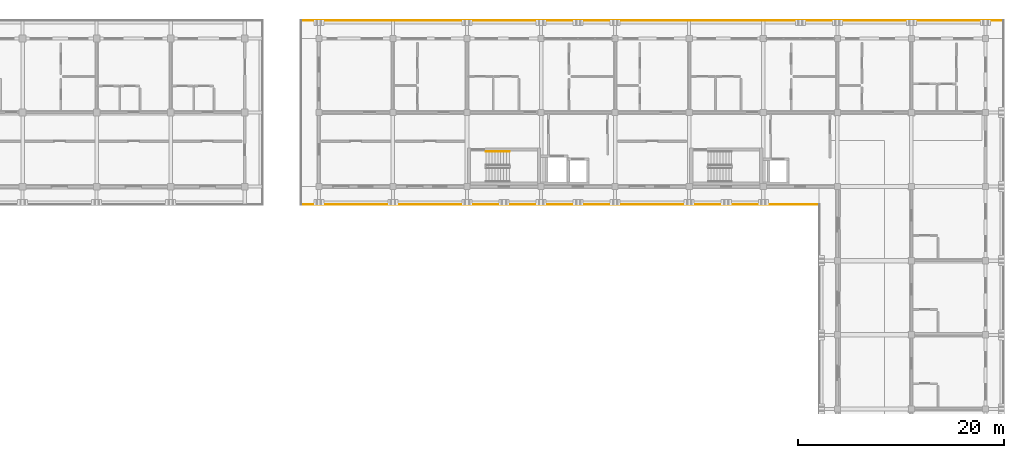
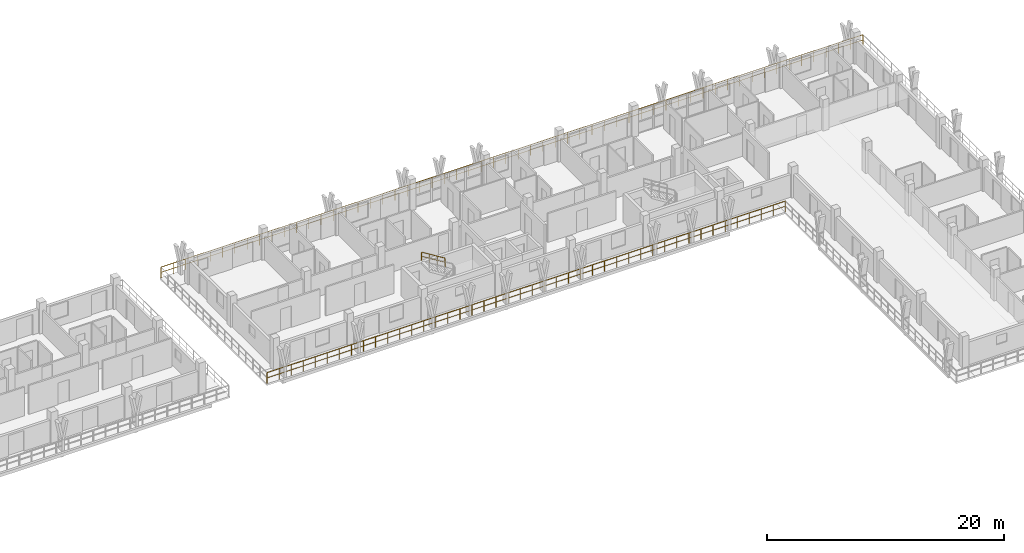
# One storey, part 77 of 78: 3 railings.
"""IFC4 building model written with IfcOpenShell, lengths in metres."""

from ifc_helpers import new_model, si_unit, direction, frame, origin, origin_2d, place, context, subcontext, project, spatial, rectangle, extrude, material, type_object, element, save


model = new_model("IFC4")

# Units and contexts
model_context = context("Model", 3, precision=1e-05, world=origin(), true_north=direction((0.0, 1.0)))
body_context = subcontext(model_context, "Body", "Model", "MODEL_VIEW")
ifc_project = project(units=[si_unit("LENGTHUNIT", "METRE"), si_unit("AREAUNIT", "SQUARE_METRE"), si_unit("VOLUMEUNIT", "CUBIC_METRE"), si_unit("PLANEANGLEUNIT", "RADIAN"), si_unit("MASSUNIT", "GRAM", prefix="KILO")], contexts=[model_context])

# Site, building, storey
site_placement = place(None, origin())
site = spatial("IfcSite", under=ifc_project, at=site_placement, CompositionType="ELEMENT")
building_placement = place(site_placement, origin())
building = spatial("IfcBuilding", under=site, at=building_placement, Name="Suanplinth Sawtooth Commons", CompositionType="ELEMENT")
storey_placement = place(building_placement, frame((0.0, 0.0, 15.39990234375)))
storey = spatial("IfcBuildingStorey", under=building, at=storey_placement, Name="L04", CompositionType="ELEMENT", Elevation=15.39990234375)

# Railings
ifc_material_1 = material(Name="Powder-coated galvanized steel", Category="steel")
railing_type_1 = type_object("IfcRailingType", Name="GR-01", PredefinedType="BALUSTRADE", material=ifc_material_1)
railing_1_placement = place(storey_placement, frame((171.06005859375, 106.260009765625, 0.0)))
element("IfcRailing", 1, at=railing_1_placement, inside=storey, type_object=railing_type_1, Name="L04 Block B Perimeter Balustrade 2", PredefinedType="BALUSTRADE", context=body_context, shape_type="SweptSolid", body=[
    extrude(rectangle(XDim=0.048095703125, YDim=0.048095703125, at=origin_2d()), frame((0.0, 0.0, 1.09619140625), z_axis=(-1.0, 0.0, 0.0), x_axis=(0.0, -1.0, 0.0)), (0.0, 0.0, 1.0), 50.400146484375),
    extrude(rectangle(XDim=0.03369140625, YDim=0.03369140625, at=origin_2d()), frame((0.0, 0.0, 0.56005859375), z_axis=(-1.0, 0.0, 0.0), x_axis=(0.0, -1.0, 0.0)), (0.0, 0.0, 1.0), 50.400146484375),
    extrude(rectangle(XDim=0.0419921875, YDim=0.0419921875, at=origin_2d()), origin(), (0.0, 0.0, 1.0), 1.072021484375),
    extrude(rectangle(XDim=0.0419921875, YDim=0.0419921875, at=origin_2d()), frame((-1.172119140625, 0.0, 0.0)), (0.0, 0.0, 1.0), 1.072021484375),
    extrude(rectangle(XDim=0.0419921875, YDim=0.0419921875, at=origin_2d()), frame((-2.34423828125, 0.0, 0.0)), (0.0, 0.0, 1.0), 1.072021484375),
    extrude(rectangle(XDim=0.0419921875, YDim=0.0419921875, at=origin_2d()), frame((-3.516357421875, 0.0, 0.0)), (0.0, 0.0, 1.0), 1.072021484375),
    extrude(rectangle(XDim=0.0419921875, YDim=0.0419921875, at=origin_2d()), frame((-4.6884765625, 0.0, 0.0)), (0.0, 0.0, 1.0), 1.072021484375),
    extrude(rectangle(XDim=0.0419921875, YDim=0.0419921875, at=origin_2d()), frame((-5.860595703125, 0.0, 0.0)), (0.0, 0.0, 1.0), 1.072021484375),
    extrude(rectangle(XDim=0.0419921875, YDim=0.0419921875, at=origin_2d()), frame((-7.032470703125, 0.0, 0.0)), (0.0, 0.0, 1.0), 1.072021484375),
    extrude(rectangle(XDim=0.0419921875, YDim=0.0419921875, at=origin_2d()), frame((-8.20458984375, 0.0, 0.0)), (0.0, 0.0, 1.0), 1.072021484375),
    extrude(rectangle(XDim=0.0419921875, YDim=0.0419921875, at=origin_2d()), frame((-9.376708984375, 0.0, 0.0)), (0.0, 0.0, 1.0), 1.072021484375),
    extrude(rectangle(XDim=0.0419921875, YDim=0.0419921875, at=origin_2d()), frame((-10.548828125, 0.0, 0.0)), (0.0, 0.0, 1.0), 1.072021484375),
    extrude(rectangle(XDim=0.0419921875, YDim=0.0419921875, at=origin_2d()), frame((-11.720947265625, 0.0, 0.0)), (0.0, 0.0, 1.0), 1.072021484375),
    extrude(rectangle(XDim=0.0419921875, YDim=0.0419921875, at=origin_2d()), frame((-12.89306640625, 0.0, 0.0)), (0.0, 0.0, 1.0), 1.072021484375),
    extrude(rectangle(XDim=0.0419921875, YDim=0.0419921875, at=origin_2d()), frame((-14.065185546875, 0.0, 0.0)), (0.0, 0.0, 1.0), 1.072021484375),
    extrude(rectangle(XDim=0.0419921875, YDim=0.0419921875, at=origin_2d()), frame((-15.2373046875, 0.0, 0.0)), (0.0, 0.0, 1.0), 1.072021484375),
    extrude(rectangle(XDim=0.0419921875, YDim=0.0419921875, at=origin_2d()), frame((-16.409423828125, 0.0, 0.0)), (0.0, 0.0, 1.0), 1.072021484375),
    extrude(rectangle(XDim=0.0419921875, YDim=0.0419921875, at=origin_2d()), frame((-17.58154296875, 0.0, 0.0)), (0.0, 0.0, 1.0), 1.072021484375),
    extrude(rectangle(XDim=0.0419921875, YDim=0.0419921875, at=origin_2d()), frame((-18.753662109375, 0.0, 0.0)), (0.0, 0.0, 1.0), 1.072021484375),
    extrude(rectangle(XDim=0.0419921875, YDim=0.0419921875, at=origin_2d()), frame((-19.925537109375, 0.0, 0.0)), (0.0, 0.0, 1.0), 1.072021484375),
    extrude(rectangle(XDim=0.0419921875, YDim=0.0419921875, at=origin_2d()), frame((-21.09765625, 0.0, 0.0)), (0.0, 0.0, 1.0), 1.072021484375),
    extrude(rectangle(XDim=0.0419921875, YDim=0.0419921875, at=origin_2d()), frame((-22.269775390625, 0.0, 0.0)), (0.0, 0.0, 1.0), 1.072021484375),
    extrude(rectangle(XDim=0.0419921875, YDim=0.0419921875, at=origin_2d()), frame((-23.44189453125, 0.0, 0.0)), (0.0, 0.0, 1.0), 1.072021484375),
    extrude(rectangle(XDim=0.0419921875, YDim=0.0419921875, at=origin_2d()), frame((-24.614013671875, 0.0, 0.0)), (0.0, 0.0, 1.0), 1.072021484375),
    extrude(rectangle(XDim=0.0419921875, YDim=0.0419921875, at=origin_2d()), frame((-25.7861328125, 0.0, 0.0)), (0.0, 0.0, 1.0), 1.072021484375),
    extrude(rectangle(XDim=0.0419921875, YDim=0.0419921875, at=origin_2d()), frame((-26.958251953125, 0.0, 0.0)), (0.0, 0.0, 1.0), 1.072021484375),
    extrude(rectangle(XDim=0.0419921875, YDim=0.0419921875, at=origin_2d()), frame((-28.13037109375, 0.0, 0.0)), (0.0, 0.0, 1.0), 1.072021484375),
    extrude(rectangle(XDim=0.0419921875, YDim=0.0419921875, at=origin_2d()), frame((-29.302490234375, 0.0, 0.0)), (0.0, 0.0, 1.0), 1.072021484375),
    extrude(rectangle(XDim=0.0419921875, YDim=0.0419921875, at=origin_2d()), frame((-30.474609375, 0.0, 0.0)), (0.0, 0.0, 1.0), 1.072021484375),
    extrude(rectangle(XDim=0.0419921875, YDim=0.0419921875, at=origin_2d()), frame((-31.646484375, 0.0, 0.0)), (0.0, 0.0, 1.0), 1.072021484375),
    extrude(rectangle(XDim=0.0419921875, YDim=0.0419921875, at=origin_2d()), frame((-32.818603515625, 0.0, 0.0)), (0.0, 0.0, 1.0), 1.072021484375),
    extrude(rectangle(XDim=0.0419921875, YDim=0.0419921875, at=origin_2d()), frame((-33.99072265625, 0.0, 0.0)), (0.0, 0.0, 1.0), 1.072021484375),
    extrude(rectangle(XDim=0.0419921875, YDim=0.0419921875, at=origin_2d()), frame((-35.162841796875, 0.0, 0.0)), (0.0, 0.0, 1.0), 1.072021484375),
    extrude(rectangle(XDim=0.0419921875, YDim=0.0419921875, at=origin_2d()), frame((-36.3349609375, 0.0, 0.0)), (0.0, 0.0, 1.0), 1.072021484375),
    extrude(rectangle(XDim=0.0419921875, YDim=0.0419921875, at=origin_2d()), frame((-37.507080078125, 0.0, 0.0)), (0.0, 0.0, 1.0), 1.072021484375),
    extrude(rectangle(XDim=0.0419921875, YDim=0.0419921875, at=origin_2d()), frame((-38.67919921875, 0.0, 0.0)), (0.0, 0.0, 1.0), 1.072021484375),
    extrude(rectangle(XDim=0.0419921875, YDim=0.0419921875, at=origin_2d()), frame((-39.851318359375, 0.0, 0.0)), (0.0, 0.0, 1.0), 1.072021484375),
    extrude(rectangle(XDim=0.0419921875, YDim=0.0419921875, at=origin_2d()), frame((-41.0234375, 0.0, 0.0)), (0.0, 0.0, 1.0), 1.072021484375),
    extrude(rectangle(XDim=0.0419921875, YDim=0.0419921875, at=origin_2d()), frame((-42.195556640625, 0.0, 0.0)), (0.0, 0.0, 1.0), 1.072021484375),
    extrude(rectangle(XDim=0.0419921875, YDim=0.0419921875, at=origin_2d()), frame((-43.36767578125, 0.0, 0.0)), (0.0, 0.0, 1.0), 1.072021484375),
    extrude(rectangle(XDim=0.0419921875, YDim=0.0419921875, at=origin_2d()), frame((-44.53955078125, 0.0, 0.0)), (0.0, 0.0, 1.0), 1.072021484375),
    extrude(rectangle(XDim=0.0419921875, YDim=0.0419921875, at=origin_2d()), frame((-45.711669921875, 0.0, 0.0)), (0.0, 0.0, 1.0), 1.072021484375),
    extrude(rectangle(XDim=0.0419921875, YDim=0.0419921875, at=origin_2d()), frame((-46.8837890625, 0.0, 0.0)), (0.0, 0.0, 1.0), 1.072021484375),
    extrude(rectangle(XDim=0.0419921875, YDim=0.0419921875, at=origin_2d()), frame((-48.055908203125, 0.0, 0.0)), (0.0, 0.0, 1.0), 1.072021484375),
    extrude(rectangle(XDim=0.0419921875, YDim=0.0419921875, at=origin_2d()), frame((-49.22802734375, 0.0, 0.0)), (0.0, 0.0, 1.0), 1.072021484375),
    extrude(rectangle(XDim=0.0419921875, YDim=0.0419921875, at=origin_2d()), frame((-50.400146484375, 0.0, 0.0)), (0.0, 0.0, 1.0), 1.072021484375),
])
railing_2_placement = place(storey_placement, frame((120.659912109375, 124.139892578125, 0.0)))
element("IfcRailing", 2, at=railing_2_placement, inside=storey, type_object=railing_type_1, Name="L04 Block B Perimeter Balustrade 4", PredefinedType="BALUSTRADE", context=body_context, shape_type="SweptSolid", body=[
    extrude(rectangle(XDim=0.048095703125, YDim=0.048095703125, at=origin_2d()), frame((0.0, 0.0, 1.09619140625), z_axis=(1.0, 0.0, 0.0), x_axis=(0.0, 1.0, 0.0)), (0.0, 0.0, 1.0), 68.280029296875),
    extrude(rectangle(XDim=0.03369140625, YDim=0.03369140625, at=origin_2d()), frame((0.0, 0.0, 0.56005859375), z_axis=(1.0, 0.0, 0.0), x_axis=(0.0, 1.0, 0.0)), (0.0, 0.0, 1.0), 68.280029296875),
    extrude(rectangle(XDim=0.0419921875, YDim=0.0419921875, at=origin_2d()), origin(), (0.0, 0.0, 1.0), 1.072021484375),
    extrude(rectangle(XDim=0.0419921875, YDim=0.0419921875, at=origin_2d()), frame((1.197998046875, 0.0, 0.0)), (0.0, 0.0, 1.0), 1.072021484375),
    extrude(rectangle(XDim=0.0419921875, YDim=0.0419921875, at=origin_2d()), frame((2.395751953125, 0.0, 0.0)), (0.0, 0.0, 1.0), 1.072021484375),
    extrude(rectangle(XDim=0.0419921875, YDim=0.0419921875, at=origin_2d()), frame((3.59375, 0.0, 0.0)), (0.0, 0.0, 1.0), 1.072021484375),
    extrude(rectangle(XDim=0.0419921875, YDim=0.0419921875, at=origin_2d()), frame((4.79150390625, 0.0, 0.0)), (0.0, 0.0, 1.0), 1.072021484375),
    extrude(rectangle(XDim=0.0419921875, YDim=0.0419921875, at=origin_2d()), frame((5.989501953125, 0.0, 0.0)), (0.0, 0.0, 1.0), 1.072021484375),
    extrude(rectangle(XDim=0.0419921875, YDim=0.0419921875, at=origin_2d()), frame((7.187255859375, 0.0, 0.0)), (0.0, 0.0, 1.0), 1.072021484375),
    extrude(rectangle(XDim=0.0419921875, YDim=0.0419921875, at=origin_2d()), frame((8.38525390625, 0.0, 0.0)), (0.0, 0.0, 1.0), 1.072021484375),
    extrude(rectangle(XDim=0.0419921875, YDim=0.0419921875, at=origin_2d()), frame((9.583251953125, 0.0, 0.0)), (0.0, 0.0, 1.0), 1.072021484375),
    extrude(rectangle(XDim=0.0419921875, YDim=0.0419921875, at=origin_2d()), frame((10.781005859375, 0.0, 0.0)), (0.0, 0.0, 1.0), 1.072021484375),
    extrude(rectangle(XDim=0.0419921875, YDim=0.0419921875, at=origin_2d()), frame((11.97900390625, 0.0, 0.0)), (0.0, 0.0, 1.0), 1.072021484375),
    extrude(rectangle(XDim=0.0419921875, YDim=0.0419921875, at=origin_2d()), frame((13.1767578125, 0.0, 0.0)), (0.0, 0.0, 1.0), 1.072021484375),
    extrude(rectangle(XDim=0.0419921875, YDim=0.0419921875, at=origin_2d()), frame((14.374755859375, 0.0, 0.0)), (0.0, 0.0, 1.0), 1.072021484375),
    extrude(rectangle(XDim=0.0419921875, YDim=0.0419921875, at=origin_2d()), frame((15.57275390625, 0.0, 0.0)), (0.0, 0.0, 1.0), 1.072021484375),
    extrude(rectangle(XDim=0.0419921875, YDim=0.0419921875, at=origin_2d()), frame((16.7705078125, 0.0, 0.0)), (0.0, 0.0, 1.0), 1.072021484375),
    extrude(rectangle(XDim=0.0419921875, YDim=0.0419921875, at=origin_2d()), frame((17.968505859375, 0.0, 0.0)), (0.0, 0.0, 1.0), 1.072021484375),
    extrude(rectangle(XDim=0.0419921875, YDim=0.0419921875, at=origin_2d()), frame((19.166259765625, 0.0, 0.0)), (0.0, 0.0, 1.0), 1.072021484375),
    extrude(rectangle(XDim=0.0419921875, YDim=0.0419921875, at=origin_2d()), frame((20.3642578125, 0.0, 0.0)), (0.0, 0.0, 1.0), 1.072021484375),
    extrude(rectangle(XDim=0.0419921875, YDim=0.0419921875, at=origin_2d()), frame((21.56201171875, 0.0, 0.0)), (0.0, 0.0, 1.0), 1.072021484375),
    extrude(rectangle(XDim=0.0419921875, YDim=0.0419921875, at=origin_2d()), frame((22.760009765625, 0.0, 0.0)), (0.0, 0.0, 1.0), 1.072021484375),
    extrude(rectangle(XDim=0.0419921875, YDim=0.0419921875, at=origin_2d()), frame((23.9580078125, 0.0, 0.0)), (0.0, 0.0, 1.0), 1.072021484375),
    extrude(rectangle(XDim=0.0419921875, YDim=0.0419921875, at=origin_2d()), frame((25.15576171875, 0.0, 0.0)), (0.0, 0.0, 1.0), 1.072021484375),
    extrude(rectangle(XDim=0.0419921875, YDim=0.0419921875, at=origin_2d()), frame((26.353759765625, 0.0, 0.0)), (0.0, 0.0, 1.0), 1.072021484375),
    extrude(rectangle(XDim=0.0419921875, YDim=0.0419921875, at=origin_2d()), frame((27.551513671875, 0.0, 0.0)), (0.0, 0.0, 1.0), 1.072021484375),
    extrude(rectangle(XDim=0.0419921875, YDim=0.0419921875, at=origin_2d()), frame((28.74951171875, 0.0, 0.0)), (0.0, 0.0, 1.0), 1.072021484375),
    extrude(rectangle(XDim=0.0419921875, YDim=0.0419921875, at=origin_2d()), frame((29.947265625, 0.0, 0.0)), (0.0, 0.0, 1.0), 1.072021484375),
    extrude(rectangle(XDim=0.0419921875, YDim=0.0419921875, at=origin_2d()), frame((31.145263671875, 0.0, 0.0)), (0.0, 0.0, 1.0), 1.072021484375),
    extrude(rectangle(XDim=0.0419921875, YDim=0.0419921875, at=origin_2d()), frame((32.34326171875, 0.0, 0.0)), (0.0, 0.0, 1.0), 1.072021484375),
    extrude(rectangle(XDim=0.0419921875, YDim=0.0419921875, at=origin_2d()), frame((33.541015625, 0.0, 0.0)), (0.0, 0.0, 1.0), 1.072021484375),
    extrude(rectangle(XDim=0.0419921875, YDim=0.0419921875, at=origin_2d()), frame((34.739013671875, 0.0, 0.0)), (0.0, 0.0, 1.0), 1.072021484375),
    extrude(rectangle(XDim=0.0419921875, YDim=0.0419921875, at=origin_2d()), frame((35.936767578125, 0.0, 0.0)), (0.0, 0.0, 1.0), 1.072021484375),
    extrude(rectangle(XDim=0.0419921875, YDim=0.0419921875, at=origin_2d()), frame((37.134765625, 0.0, 0.0)), (0.0, 0.0, 1.0), 1.072021484375),
    extrude(rectangle(XDim=0.0419921875, YDim=0.0419921875, at=origin_2d()), frame((38.332763671875, 0.0, 0.0)), (0.0, 0.0, 1.0), 1.072021484375),
    extrude(rectangle(XDim=0.0419921875, YDim=0.0419921875, at=origin_2d()), frame((39.530517578125, 0.0, 0.0)), (0.0, 0.0, 1.0), 1.072021484375),
    extrude(rectangle(XDim=0.0419921875, YDim=0.0419921875, at=origin_2d()), frame((40.728515625, 0.0, 0.0)), (0.0, 0.0, 1.0), 1.072021484375),
    extrude(rectangle(XDim=0.0419921875, YDim=0.0419921875, at=origin_2d()), frame((41.92626953125, 0.0, 0.0)), (0.0, 0.0, 1.0), 1.072021484375),
    extrude(rectangle(XDim=0.0419921875, YDim=0.0419921875, at=origin_2d()), frame((43.124267578125, 0.0, 0.0)), (0.0, 0.0, 1.0), 1.072021484375),
    extrude(rectangle(XDim=0.0419921875, YDim=0.0419921875, at=origin_2d()), frame((44.322021484375, 0.0, 0.0)), (0.0, 0.0, 1.0), 1.072021484375),
    extrude(rectangle(XDim=0.0419921875, YDim=0.0419921875, at=origin_2d()), frame((45.52001953125, 0.0, 0.0)), (0.0, 0.0, 1.0), 1.072021484375),
    extrude(rectangle(XDim=0.0419921875, YDim=0.0419921875, at=origin_2d()), frame((46.718017578125, 0.0, 0.0)), (0.0, 0.0, 1.0), 1.072021484375),
    extrude(rectangle(XDim=0.0419921875, YDim=0.0419921875, at=origin_2d()), frame((47.915771484375, 0.0, 0.0)), (0.0, 0.0, 1.0), 1.072021484375),
    extrude(rectangle(XDim=0.0419921875, YDim=0.0419921875, at=origin_2d()), frame((49.11376953125, 0.0, 0.0)), (0.0, 0.0, 1.0), 1.072021484375),
    extrude(rectangle(XDim=0.0419921875, YDim=0.0419921875, at=origin_2d()), frame((50.3115234375, 0.0, 0.0)), (0.0, 0.0, 1.0), 1.072021484375),
    extrude(rectangle(XDim=0.0419921875, YDim=0.0419921875, at=origin_2d()), frame((51.509521484375, 0.0, 0.0)), (0.0, 0.0, 1.0), 1.072021484375),
    extrude(rectangle(XDim=0.0419921875, YDim=0.0419921875, at=origin_2d()), frame((52.707275390625, 0.0, 0.0)), (0.0, 0.0, 1.0), 1.072021484375),
    extrude(rectangle(XDim=0.0419921875, YDim=0.0419921875, at=origin_2d()), frame((53.9052734375, 0.0, 0.0)), (0.0, 0.0, 1.0), 1.072021484375),
    extrude(rectangle(XDim=0.0419921875, YDim=0.0419921875, at=origin_2d()), frame((55.103271484375, 0.0, 0.0)), (0.0, 0.0, 1.0), 1.072021484375),
    extrude(rectangle(XDim=0.0419921875, YDim=0.0419921875, at=origin_2d()), frame((56.301025390625, 0.0, 0.0)), (0.0, 0.0, 1.0), 1.072021484375),
    extrude(rectangle(XDim=0.0419921875, YDim=0.0419921875, at=origin_2d()), frame((57.4990234375, 0.0, 0.0)), (0.0, 0.0, 1.0), 1.072021484375),
    extrude(rectangle(XDim=0.0419921875, YDim=0.0419921875, at=origin_2d()), frame((58.69677734375, 0.0, 0.0)), (0.0, 0.0, 1.0), 1.072021484375),
    extrude(rectangle(XDim=0.0419921875, YDim=0.0419921875, at=origin_2d()), frame((59.894775390625, 0.0, 0.0)), (0.0, 0.0, 1.0), 1.072021484375),
    extrude(rectangle(XDim=0.0419921875, YDim=0.0419921875, at=origin_2d()), frame((61.0927734375, 0.0, 0.0)), (0.0, 0.0, 1.0), 1.072021484375),
    extrude(rectangle(XDim=0.0419921875, YDim=0.0419921875, at=origin_2d()), frame((62.29052734375, 0.0, 0.0)), (0.0, 0.0, 1.0), 1.072021484375),
    extrude(rectangle(XDim=0.0419921875, YDim=0.0419921875, at=origin_2d()), frame((63.488525390625, 0.0, 0.0)), (0.0, 0.0, 1.0), 1.072021484375),
    extrude(rectangle(XDim=0.0419921875, YDim=0.0419921875, at=origin_2d()), frame((64.686279296875, 0.0, 0.0)), (0.0, 0.0, 1.0), 1.072021484375),
    extrude(rectangle(XDim=0.0419921875, YDim=0.0419921875, at=origin_2d()), frame((65.88427734375, 0.0, 0.0)), (0.0, 0.0, 1.0), 1.072021484375),
    extrude(rectangle(XDim=0.0419921875, YDim=0.0419921875, at=origin_2d()), frame((67.08203125, 0.0, 0.0)), (0.0, 0.0, 1.0), 1.072021484375),
    extrude(rectangle(XDim=0.0419921875, YDim=0.0419921875, at=origin_2d()), frame((68.280029296875, 0.0, 0.0)), (0.0, 0.0, 1.0), 1.072021484375),
])
ifc_material_2 = material(Name="Stainless steel Grade 304", Category="steel")
railing_type_2 = type_object("IfcRailingType", Name="HR-01", PredefinedType="HANDRAIL", material=ifc_material_2)
railing_3_placement = place(storey_placement, frame((140.929931640625, 111.39990234375, 1.77783203125)))
element("IfcRailing", 3, at=railing_3_placement, inside=storey, type_object=railing_type_2, Name="L04 ST-E1 Handrail 2", PredefinedType="HANDRAIL", context=body_context, shape_type="SweptSolid", body=[
    extrude(rectangle(XDim=0.048095703125, YDim=0.048095703125, at=origin_2d()), frame((0.0, 0.0, 0.8759765625), z_axis=(-0.848442045328, 0.0, 0.529288291689), x_axis=(0.0, -1.0, 0.0)), (0.0, 0.0, 1.0), 2.687255859375),
    extrude(rectangle(XDim=0.03369140625, YDim=0.03369140625, at=origin_2d()), frame((0.0, 0.0, 0.449951171875), z_axis=(-0.848442045328, 0.0, 0.529288291689), x_axis=(0.0, -1.0, 0.0)), (0.0, 0.0, 1.0), 2.687255859375),
    extrude(rectangle(XDim=0.0419921875, YDim=0.0419921875, at=origin_2d()), origin(), (0.0, 0.0, 1.0), 0.851806640625),
    extrude(rectangle(XDim=0.0419921875, YDim=0.0419921875, at=origin_2d()), frame((-0.760009765625, 0.0, 0.47412109375)), (0.0, 0.0, 1.0), 0.851806640625),
    extrude(rectangle(XDim=0.0419921875, YDim=0.0419921875, at=origin_2d()), frame((-1.52001953125, 0.0, 0.9482421875)), (0.0, 0.0, 1.0), 0.851806640625),
    extrude(rectangle(XDim=0.0419921875, YDim=0.0419921875, at=origin_2d()), frame((-2.280029296875, 0.0, 1.42236328125)), (0.0, 0.0, 1.0), 0.851806640625),
])

save(model, "model.ifc")
